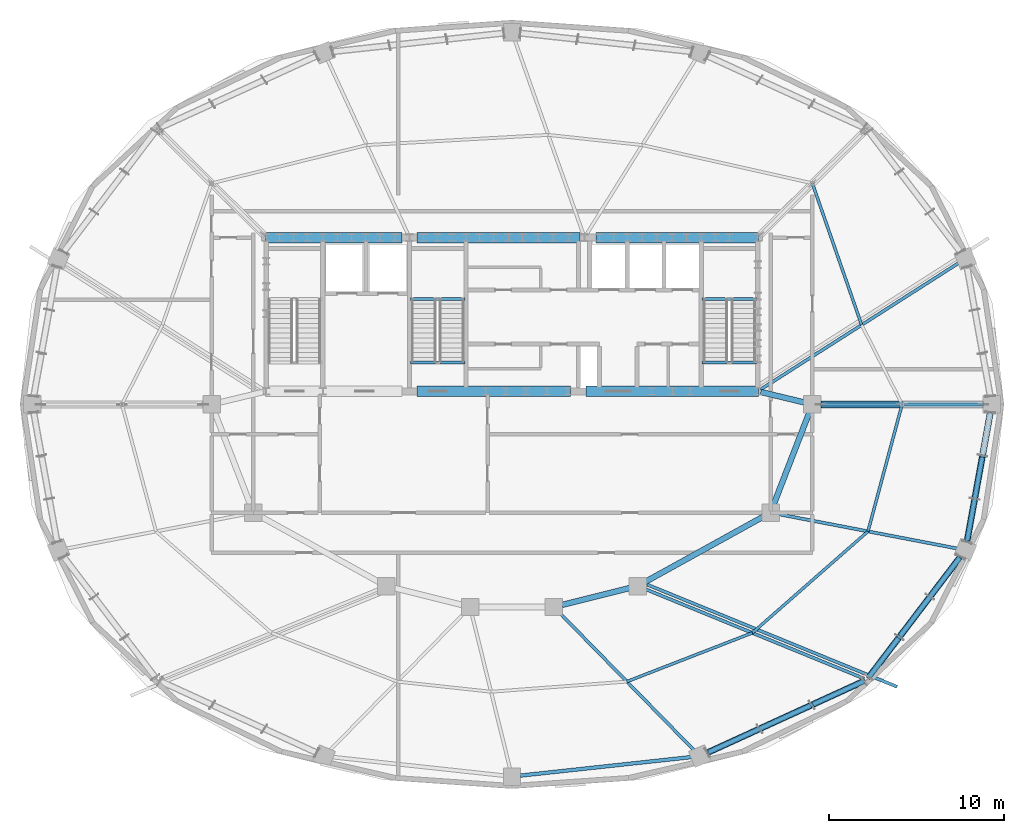
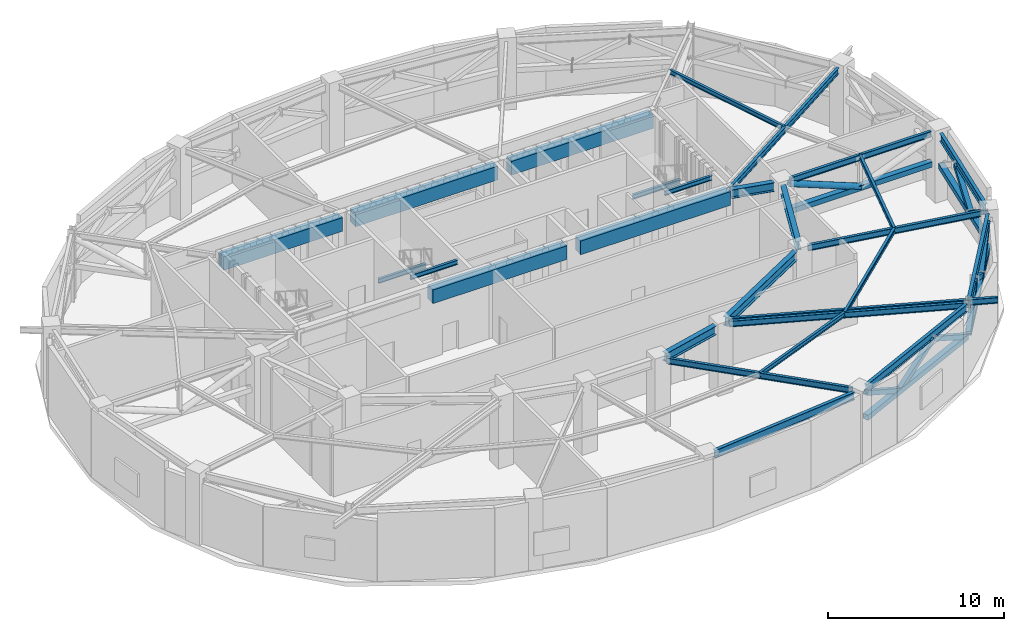
# One storey, part 4 of 20: 27 beams, 13 members.
"""IFC4 building model written with IfcOpenShell, lengths in metres."""

from ifc_helpers import new_model, si_unit, direction, frame, origin, origin_2d, place, context, subcontext, project, spatial, rectangle, hollow_rectangle, hollow_circle, i_section, extrude, material, material_profile, profile_set, type_object, element, save


model = new_model("IFC4")

# Units and contexts
model_context = context("Model", 3, precision=1e-05, world=origin(), true_north=direction((0.0, 1.0)))
body_context = subcontext(model_context, "Body", "Model", "MODEL_VIEW")
ifc_project = project(units=[si_unit("LENGTHUNIT", "METRE"), si_unit("AREAUNIT", "SQUARE_METRE"), si_unit("VOLUMEUNIT", "CUBIC_METRE"), si_unit("PLANEANGLEUNIT", "RADIAN"), si_unit("MASSUNIT", "GRAM", prefix="KILO")], contexts=[model_context])

# Site, building, storey
site_placement = place(None, origin())
site = spatial("IfcSite", under=ifc_project, at=site_placement, CompositionType="ELEMENT")
building_placement = place(site_placement, origin())
building = spatial("IfcBuilding", under=site, at=building_placement, Name="Haldorwick Loom Tower", CompositionType="ELEMENT")
storey_placement = place(building_placement, frame((0.0, 0.0, 222.10009765625)))
storey = spatial("IfcBuildingStorey", under=building, at=storey_placement, Name="L60", CompositionType="ELEMENT", Elevation=222.10009765625)

# Beams
ifc_material_1 = material(Name="Steel CSA G40.21 350W", Category="steel")
ifc_material_profile_1 = material_profile(ifc_material_1, i_section(OverallWidth=0.179931640625, OverallDepth=0.4130859375, WebThickness=0.009765625, FlangeThickness=0.01611328125, at=origin_2d()), Name="W410X74", Category="steel")
ifc_profile_set_1 = profile_set([ifc_material_profile_1], Name="Steel CSA G40.21 350W")
beam_type_1 = type_object("IfcBeamType", Name="STR-BM-BAL410", PredefinedType="BEAM", material=ifc_profile_set_1)
beam_1_placement = place(storey_placement, frame((43.74560546875, 15.679443359375, 4.553466796875), z_axis=(0.925580184245, -0.378551611451, 0.0), x_axis=(0.378551611451, 0.925580184245, 0.0)))
element("IfcBeam", 1, at=beam_1_placement, inside=storey, type_object=beam_type_1, Name="L60 Continuous Back-Spanned Balcony Beam 1", PredefinedType="BEAM", context=body_context, shape_type="SweptSolid", body=[
    extrude(i_section(OverallWidth=0.179931640625, OverallDepth=0.4130859375, WebThickness=0.009765625, FlangeThickness=0.01611328125, at=origin_2d()), origin(), (0.0, 0.0, 1.0), 15.447509765625),
])
ifc_material_2 = material(Name="Concrete C50 (50 MPa)", Category="concrete")
ifc_material_profile_2 = material_profile(ifc_material_2, rectangle(XDim=0.60009765625, YDim=0.949951171875, at=origin_2d()), Name="RC600X950", Category="concrete")
ifc_profile_set_2 = profile_set([ifc_material_profile_2], Name="Concrete C50 (50 MPa)")
beam_type_2 = type_object("IfcBeamType", Name="STR-BM-CB950", PredefinedType="LINTEL", material=ifc_profile_set_2)
beam_2_placement = place(storey_placement, frame((21.89990234375, 35.550048828125, 4.284912109375), z_axis=(1.0, 0.0, 0.0), x_axis=(0.0, 1.0, 0.0)))
element("IfcBeam", 2, at=beam_2_placement, inside=storey, type_object=beam_type_2, Name="L60 Core Coupling Beam CB-N1", PredefinedType="LINTEL", context=body_context, shape_type="SweptSolid", body=[
    extrude(rectangle(XDim=0.60009765625, YDim=0.949951171875, at=origin_2d()), origin(), (0.0, 0.0, 1.0), 7.800048828125),
])
beam_3_placement = place(storey_placement, frame((30.550048828125, 35.550048828125, 4.284912109375), z_axis=(1.0, 0.0, 0.0), x_axis=(0.0, 1.0, 0.0)))
element("IfcBeam", 3, at=beam_3_placement, inside=storey, type_object=beam_type_2, Name="L60 Core Coupling Beam CB-N2", PredefinedType="LINTEL", context=body_context, shape_type="SweptSolid", body=[
    extrude(rectangle(XDim=0.60009765625, YDim=0.949951171875, at=origin_2d()), origin(), (0.0, 0.0, 1.0), 9.349853515625),
])
beam_4_placement = place(storey_placement, frame((40.800048828125, 35.550048828125, 4.284912109375), z_axis=(1.0, 0.0, 0.0), x_axis=(0.0, 1.0, 0.0)))
element("IfcBeam", 4, at=beam_4_placement, inside=storey, type_object=beam_type_2, Name="L60 Core Coupling Beam CB-N3", PredefinedType="LINTEL", context=body_context, shape_type="SweptSolid", body=[
    extrude(rectangle(XDim=0.60009765625, YDim=0.949951171875, at=origin_2d()), origin(), (0.0, 0.0, 1.0), 9.300048828125),
])
beam_5_placement = place(storey_placement, frame((30.550048828125, 26.75, 4.284912109375), z_axis=(1.0, 0.0, 0.0), x_axis=(0.0, 1.0, 0.0)))
element("IfcBeam", 5, at=beam_5_placement, inside=storey, type_object=beam_type_2, Name="L60 Core Coupling Beam CB-S2", PredefinedType="LINTEL", context=body_context, shape_type="SweptSolid", body=[
    extrude(rectangle(XDim=0.60009765625, YDim=0.949951171875, at=origin_2d()), origin(), (0.0, 0.0, 1.0), 8.800048828125),
])
beam_6_placement = place(storey_placement, frame((40.25, 26.75, 4.284912109375), z_axis=(1.0, 0.0, 0.0), x_axis=(0.0, 1.0, 0.0)))
element("IfcBeam", 6, at=beam_6_placement, inside=storey, type_object=beam_type_2, Name="L60 Core Coupling Beam CB-S3", PredefinedType="LINTEL", context=body_context, shape_type="SweptSolid", body=[
    extrude(rectangle(XDim=0.60009765625, YDim=0.949951171875, at=origin_2d()), origin(), (0.0, 0.0, 1.0), 9.85009765625),
])
ifc_material_profile_3 = material_profile(ifc_material_1, i_section(OverallWidth=0.166015625, OverallDepth=0.31298828125, WebThickness=0.006591796875, FlangeThickness=0.01123046875, at=origin_2d()), Name="W310X45", Category="steel")
ifc_profile_set_3 = profile_set([ifc_material_profile_3], Name="Steel CSA G40.21 350W")
beam_type_3 = type_object("IfcBeamType", Name="STR-BM-J310", PredefinedType="JOIST", material=ifc_profile_set_3)
beam_7_placement = place(storey_placement, frame((56.015380859375, 30.54638671875, 4.603515625), z_axis=(-0.328550395803, 0.944486441098, 0.0), x_axis=(-0.944486441098, -0.328550395803, 0.0)))
element("IfcBeam", 7, at=beam_7_placement, inside=storey, type_object=beam_type_3, Name="L60 Mid-Bay Secondary Joist 2", PredefinedType="JOIST", context=body_context, shape_type="SweptSolid", body=[
    extrude(i_section(OverallWidth=0.166015625, OverallDepth=0.31298828125, WebThickness=0.006591796875, FlangeThickness=0.01123046875, at=origin_2d()), origin(), (0.0, 0.0, 1.0), 8.587890625),
])
beam_8_placement = place(storey_placement, frame((42.57666015625, 10.129638671875, 4.603515625), z_axis=(0.932232852675, 0.36185896202, 0.0), x_axis=(-0.36185896202, 0.932232852675, 0.0)))
element("IfcBeam", 8, at=beam_8_placement, inside=storey, type_object=beam_type_3, Name="L60 Mid-Bay Secondary Joist 14", PredefinedType="JOIST", context=body_context, shape_type="SweptSolid", body=[
    extrude(i_section(OverallWidth=0.166015625, OverallDepth=0.31298828125, WebThickness=0.006591796875, FlangeThickness=0.01123046875, at=origin_2d()), origin(), (0.0, 0.0, 1.0), 7.7041015625),
])
beam_9_placement = place(storey_placement, frame((49.7587890625, 12.91748046875, 4.603515625), z_axis=(0.751609427289, 0.659608420815, 0.0), x_axis=(-0.659608420815, 0.751609427289, 0.0)))
element("IfcBeam", 9, at=beam_9_placement, inside=storey, type_object=beam_type_3, Name="L60 Mid-Bay Secondary Joist 15", PredefinedType="JOIST", context=body_context, shape_type="SweptSolid", body=[
    extrude(i_section(OverallWidth=0.166015625, OverallDepth=0.31298828125, WebThickness=0.006591796875, FlangeThickness=0.01123046875, at=origin_2d()), origin(), (0.0, 0.0, 1.0), 8.810302734375),
])
beam_10_placement = place(storey_placement, frame((56.380615234375, 18.728759765625, 4.603515625), z_axis=(0.259353588718, 0.965782437208, 0.0), x_axis=(-0.965782437208, 0.259353588718, 0.0)))
element("IfcBeam", 10, at=beam_10_placement, inside=storey, type_object=beam_type_3, Name="L60 Mid-Bay Secondary Joist 16", PredefinedType="JOIST", context=body_context, shape_type="SweptSolid", body=[
    extrude(i_section(OverallWidth=0.166015625, OverallDepth=0.31298828125, WebThickness=0.006591796875, FlangeThickness=0.01123046875, at=origin_2d()), origin(), (0.0, 0.0, 1.0), 7.52880859375),
])
ifc_material_profile_4 = material_profile(ifc_material_1, i_section(OverallWidth=0.179931640625, OverallDepth=0.4130859375, WebThickness=0.009765625, FlangeThickness=0.01611328125, at=origin_2d()), Name="W410X74", Category="steel")
ifc_profile_set_4 = profile_set([ifc_material_profile_4], Name="Steel CSA G40.21 350W")
beam_type_4 = type_object("IfcBeamType", Name="STR-BM-J410", PredefinedType="JOIST", material=ifc_profile_set_4)
beam_11_placement = place(storey_placement, frame((53.675048828125, 26.0, 4.553466796875), z_axis=(1.0, 0.0, 0.0), x_axis=(0.0, 1.0, 0.0)))
element("IfcBeam", 11, at=beam_11_placement, inside=storey, type_object=beam_type_4, Name="L60 Radial Floor Girder 1", PredefinedType="JOIST", context=body_context, shape_type="SweptSolid", body=[
    extrude(i_section(OverallWidth=0.179931640625, OverallDepth=0.4130859375, WebThickness=0.009765625, FlangeThickness=0.01611328125, at=origin_2d()), origin(), (0.0, 0.0, 1.0), 9.31640625),
])
beam_12_placement = place(storey_placement, frame((50.219970703125, 26.845703125, 4.553466796875), z_axis=(0.842841662301, 0.538161622833, 0.0), x_axis=(-0.538161622833, 0.842841662301, 0.0)))
element("IfcBeam", 12, at=beam_12_placement, inside=storey, type_object=beam_type_4, Name="L60 Radial Floor Girder 2", PredefinedType="JOIST", context=body_context, shape_type="SweptSolid", body=[
    extrude(i_section(OverallWidth=0.179931640625, OverallDepth=0.4130859375, WebThickness=0.009765625, FlangeThickness=0.01611328125, at=origin_2d()), origin(), (0.0, 0.0, 1.0), 13.45556640625),
])
beam_13_placement = place(storey_placement, frame((38.732177734375, 14.060302734375, 4.553466796875), z_axis=(0.6992374297, -0.714889513775, 0.0), x_axis=(0.714889513775, 0.6992374297, 0.0)))
element("IfcBeam", 13, at=beam_13_placement, inside=storey, type_object=beam_type_4, Name="L60 Radial Floor Girder 14", PredefinedType="JOIST", context=body_context, shape_type="SweptSolid", body=[
    extrude(i_section(OverallWidth=0.179931640625, OverallDepth=0.4130859375, WebThickness=0.009765625, FlangeThickness=0.01611328125, at=origin_2d()), origin(), (0.0, 0.0, 1.0), 10.99658203125),
])
beam_14_placement = place(storey_placement, frame((43.6396484375, 15.420166015625, 4.553466796875), z_axis=(0.925582046891, -0.378547057145, 0.0), x_axis=(0.378547057145, 0.925582046891, 0.0)))
element("IfcBeam", 14, at=beam_14_placement, inside=storey, type_object=beam_type_4, Name="L60 Radial Floor Girder 15", PredefinedType="JOIST", context=body_context, shape_type="SweptSolid", body=[
    extrude(i_section(OverallWidth=0.179931640625, OverallDepth=0.4130859375, WebThickness=0.009765625, FlangeThickness=0.01611328125, at=origin_2d()), origin(), (0.0, 0.0, 1.0), 13.519287109375),
])
beam_15_placement = place(storey_placement, frame((51.2666015625, 19.71044921875, 4.553466796875), z_axis=(0.982068761346, -0.188523070173, 0.0), x_axis=(0.188523070173, 0.982068761346, 0.0)))
element("IfcBeam", 15, at=beam_15_placement, inside=storey, type_object=beam_type_4, Name="L60 Radial Floor Girder 16", PredefinedType="JOIST", context=body_context, shape_type="SweptSolid", body=[
    extrude(i_section(OverallWidth=0.179931640625, OverallDepth=0.4130859375, WebThickness=0.009765625, FlangeThickness=0.01611328125, at=origin_2d()), origin(), (0.0, 0.0, 1.0), 10.41455078125),
])
ifc_material_profile_5 = material_profile(ifc_material_1, i_section(OverallWidth=0.2119140625, OverallDepth=0.5439453125, WebThickness=0.01318359375, FlangeThickness=0.021240234375, at=origin_2d()), Name="W530X123", Category="steel")
ifc_profile_set_5 = profile_set([ifc_material_profile_5], Name="Steel CSA G40.21 350W")
beam_type_5 = type_object("IfcBeamType", Name="STR-BM-SP530", PredefinedType="SPANDREL", material=ifc_profile_set_5)
beam_16_placement = place(storey_placement, frame((36.47216796875, 4.74609375, 4.48779296875), z_axis=(0.994187378218, 0.107663628917, 0.0), x_axis=(-0.107663628917, 0.994187378218, 0.0)))
element("IfcBeam", 16, at=beam_16_placement, inside=storey, type_object=beam_type_5, Name="L60 Perimeter Spandrel 13", PredefinedType="SPANDREL", context=body_context, shape_type="SweptSolid", body=[
    extrude(i_section(OverallWidth=0.2119140625, OverallDepth=0.5439453125, WebThickness=0.01318359375, FlangeThickness=0.021240234375, at=origin_2d()), origin(), (0.0, 0.0, 1.0), 9.866455078125),
])
beam_17_placement = place(storey_placement, frame((47.185302734375, 6.056884765625, 4.48779296875), z_axis=(0.909350907904, 0.41602995841, 0.0), x_axis=(-0.41602995841, 0.909350907904, 0.0)))
element("IfcBeam", 17, at=beam_17_placement, inside=storey, type_object=beam_type_5, Name="L60 Perimeter Spandrel 14", PredefinedType="SPANDREL", context=body_context, shape_type="SweptSolid", body=[
    extrude(i_section(OverallWidth=0.2119140625, OverallDepth=0.5439453125, WebThickness=0.01318359375, FlangeThickness=0.021240234375, at=origin_2d()), origin(), (0.0, 0.0, 1.0), 9.86474609375),
])
beam_18_placement = place(storey_placement, frame((56.42529296875, 10.376708984375, 4.48779296875), z_axis=(0.605253156055, 0.796033050247, 0.0), x_axis=(-0.796033050247, 0.605253156055, 0.0)))
element("IfcBeam", 18, at=beam_18_placement, inside=storey, type_object=beam_type_5, Name="L60 Perimeter Spandrel 15", PredefinedType="SPANDREL", context=body_context, shape_type="SweptSolid", body=[
    extrude(i_section(OverallWidth=0.2119140625, OverallDepth=0.5439453125, WebThickness=0.01318359375, FlangeThickness=0.021240234375, at=origin_2d()), origin(), (0.0, 0.0, 1.0), 8.671142578125),
])
beam_19_placement = place(storey_placement, frame((62.04541015625, 18.125, 4.48779296875), z_axis=(0.177580880494, 0.984106209148, 0.0), x_axis=(-0.984106209148, 0.177580880494, 0.0)))
element("IfcBeam", 19, at=beam_19_placement, inside=storey, type_object=beam_type_5, Name="L60 Perimeter Spandrel 16", PredefinedType="SPANDREL", context=body_context, shape_type="SweptSolid", body=[
    extrude(i_section(OverallWidth=0.2119140625, OverallDepth=0.5439453125, WebThickness=0.01318359375, FlangeThickness=0.021240234375, at=origin_2d()), origin(), (0.0, 0.0, 1.0), 7.527099609375),
])
ifc_material_profile_6 = material_profile(ifc_material_1, i_section(OverallWidth=0.166015625, OverallDepth=0.31298828125, WebThickness=0.006591796875, FlangeThickness=0.01123046875, at=origin_2d()), Name="W310X45", Category="steel")
ifc_profile_set_6 = profile_set([ifc_material_profile_6], Name="Steel CSA G40.21 350W")
beam_type_6 = type_object("IfcBeamType", Name="STR-BM-STRM", PredefinedType="BEAM", material=ifc_profile_set_6)
for number, where, z_axis, x_axis, name in (
    (20, (46.889892578125, 28.39990234375, 4.603515625), (1.0, 0.0, 0.0), (0.0, 1.0, 0.0), "L60 Stair ST-02 Landing Edge Trimmer"),
    (21, (46.889892578125, 32.0400390625, 2.143310546875), (1.0, 0.0, 0.0), (0.0, 1.0, 0.0), "L60 Stair ST-02 Half-Landing Trimmer 1"),
    (22, (30.18994140625, 28.39990234375, 4.603515625), (1.0, 0.0, 0.0), (0.0, 1.0, 0.0), "L60 Stair ST-03 Landing Edge Trimmer"),
    (23, (30.18994140625, 32.0400390625, 2.143310546875), (1.0, 0.0, 0.0), (0.0, 1.0, 0.0), "L60 Stair ST-03 Half-Landing Trimmer 1"),
):
    element("IfcBeam", number, at=place(storey_placement, frame(where, z_axis=z_axis, x_axis=x_axis)), inside=storey, type_object=beam_type_6, Name=name, PredefinedType="BEAM", context=body_context, shape_type="SweptSolid", body=[
        extrude(i_section(OverallWidth=0.166015625, OverallDepth=0.31298828125, WebThickness=0.006591796875, FlangeThickness=0.01123046875, at=origin_2d()), origin(), (0.0, 0.0, 1.0), 3.1201171875),
    ])
ifc_material_profile_7 = material_profile(ifc_material_1, i_section(OverallWidth=0.324951171875, OverallDepth=0.615966796875, WebThickness=0.013916015625, FlangeThickness=0.021484375, at=origin_2d()), Name="W610X174", Category="steel")
ifc_profile_set_7 = profile_set([ifc_material_profile_7], Name="Steel CSA G40.21 350W")
beam_type_7 = type_object("IfcBeamType", Name="STR-BM-W610A", PredefinedType="BEAM", material=ifc_profile_set_7)
beam_20_placement = place(storey_placement, frame((50.2431640625, 26.70849609375, 4.451904296875), z_axis=(0.972464127734, -0.233052612665, 0.0), x_axis=(0.233052612665, 0.972464127734, 0.0)))
element("IfcBeam", 24, at=beam_20_placement, inside=storey, type_object=beam_type_7, Name="L60 Inner Ring Girder 1", PredefinedType="BEAM", context=body_context, shape_type="SweptSolid", body=[
    extrude(i_section(OverallWidth=0.324951171875, OverallDepth=0.615966796875, WebThickness=0.013916015625, FlangeThickness=0.021484375, at=origin_2d()), origin(), (0.0, 0.0, 1.0), 2.5654296875),
])
beam_21_placement = place(storey_placement, frame((53.028564453125, 25.556884765625, 4.451904296875), z_axis=(-0.36101093026, -0.93256158415, 0.0), x_axis=(0.93256158415, -0.36101093026, 0.0)))
element("IfcBeam", 25, at=beam_21_placement, inside=storey, type_object=beam_type_7, Name="L60 Inner Ring Girder 2", PredefinedType="BEAM", context=body_context, shape_type="SweptSolid", body=[
    extrude(i_section(OverallWidth=0.324951171875, OverallDepth=0.615966796875, WebThickness=0.013916015625, FlangeThickness=0.021484375, at=origin_2d()), origin(), (0.0, 0.0, 1.0), 5.6982421875),
])
beam_22_placement = place(storey_placement, frame((50.38427734375, 19.5703125, 4.451904296875), z_axis=(-0.875243645673, -0.483682293152, 0.0), x_axis=(0.483682293152, -0.875243645673, 0.0)))
element("IfcBeam", 26, at=beam_22_placement, inside=storey, type_object=beam_type_7, Name="L60 Inner Ring Girder 3", PredefinedType="BEAM", context=body_context, shape_type="SweptSolid", body=[
    extrude(i_section(OverallWidth=0.324951171875, OverallDepth=0.615966796875, WebThickness=0.013916015625, FlangeThickness=0.021484375, at=origin_2d()), origin(), (0.0, 0.0, 1.0), 7.7333984375),
])
beam_23_placement = place(storey_placement, frame((42.7392578125, 15.48486328125, 4.451904296875), z_axis=(-0.970135315182, -0.242564363081, 0.0), x_axis=(0.242564363081, -0.970135315182, 0.0)))
element("IfcBeam", 27, at=beam_23_placement, inside=storey, type_object=beam_type_7, Name="L60 Inner Ring Girder 4", PredefinedType="BEAM", context=body_context, shape_type="SweptSolid", body=[
    extrude(i_section(OverallWidth=0.324951171875, OverallDepth=0.615966796875, WebThickness=0.013916015625, FlangeThickness=0.021484375, at=origin_2d()), origin(), (0.0, 0.0, 1.0), 3.997802734375),
])

# Members
ifc_material_profile_8 = material_profile(ifc_material_1, hollow_rectangle(XDim=0.3046875, YDim=0.3046875, WallThickness=0.0126953125, at=origin_2d()), Name="HSS305X305X13", Category="steel")
ifc_profile_set_8 = profile_set([ifc_material_profile_8], Name="Steel CSA G40.21 350W")
member_type_1 = type_object("IfcMemberType", Name="STR-MEM-BR305", PredefinedType="BRACE", material=ifc_profile_set_8)
member_1_placement = place(storey_placement, frame((47.185302734375, 6.056884765625, 4.2158203125), z_axis=(0.806188926481, 0.368866977792, -0.462597630251), x_axis=(-0.416061524611, 0.909336465638, 0.0)))
element("IfcMember", 28, at=member_1_placement, inside=storey, type_object=member_type_1, Name="L60 Perimeter Belt Truss Web Diagonal 14-1", PredefinedType="BRACE", context=body_context, shape_type="SweptSolid", body=[
    extrude(hollow_rectangle(XDim=0.3046875, YDim=0.3046875, WallThickness=0.0126953125, at=origin_2d()), origin(), (0.0, 0.0, 1.0), 3.708984375),
])
member_2_placement = place(storey_placement, frame((50.175537109375, 7.425048828125, 2.5), z_axis=(0.80618545743, 0.368829682206, 0.462633411841), x_axis=(-0.416028218842, 0.909351703758, 0.0)))
element("IfcMember", 29, at=member_2_placement, inside=storey, type_object=member_type_1, Name="L60 Perimeter Belt Truss Web Diagonal 14-2", PredefinedType="BRACE", context=body_context, shape_type="SweptSolid", body=[
    extrude(hollow_rectangle(XDim=0.3046875, YDim=0.3046875, WallThickness=0.0126953125, at=origin_2d()), origin(), (0.0, 0.0, 1.0), 3.708740234375),
])
member_3_placement = place(storey_placement, frame((53.16552734375, 8.79296875, 4.2158203125), z_axis=(0.806208499388, 0.368810109575, -0.46260886134), x_axis=(-0.41600013021, 0.909364553777, 0.0)))
element("IfcMember", 30, at=member_3_placement, inside=storey, type_object=member_type_1, Name="L60 Perimeter Belt Truss Web Diagonal 14-3", PredefinedType="BRACE", context=body_context, shape_type="SweptSolid", body=[
    extrude(hollow_rectangle(XDim=0.3046875, YDim=0.3046875, WallThickness=0.0126953125, at=origin_2d()), origin(), (0.0, 0.0, 1.0), 3.708984375),
])
member_4_placement = place(storey_placement, frame((56.42529296875, 10.376708984375, 2.5), z_axis=(0.520458746715, 0.684527447362, 0.510435957566), x_axis=(-0.796040112814, 0.605243867207, 0.0)))
element("IfcMember", 31, at=member_4_placement, inside=storey, type_object=member_type_1, Name="L60 Perimeter Belt Truss Web Diagonal 15-1", PredefinedType="BRACE", context=body_context, shape_type="SweptSolid", body=[
    extrude(hollow_rectangle(XDim=0.3046875, YDim=0.3046875, WallThickness=0.0126953125, at=origin_2d()), origin(), (0.0, 0.0, 1.0), 3.361572265625),
])
member_5_placement = place(storey_placement, frame((58.1748046875, 12.677734375, 4.2158203125), z_axis=(0.520431663586, 0.684514724024, -0.510480632475), x_axis=(-0.796049867215, 0.605231037627, 0.0)))
element("IfcMember", 32, at=member_5_placement, inside=storey, type_object=member_type_1, Name="L60 Perimeter Belt Truss Web Diagonal 15-2", PredefinedType="BRACE", context=body_context, shape_type="SweptSolid", body=[
    extrude(hollow_rectangle(XDim=0.3046875, YDim=0.3046875, WallThickness=0.0126953125, at=origin_2d()), origin(), (0.0, 0.0, 1.0), 3.361083984375),
])
member_6_placement = place(storey_placement, frame((59.924072265625, 14.978515625, 2.5), z_axis=(0.520484622649, 0.684488847872, 0.510461335191), x_axis=(-0.796009170115, 0.60528456208, 0.0)))
element("IfcMember", 33, at=member_6_placement, inside=storey, type_object=member_type_1, Name="L60 Perimeter Belt Truss Web Diagonal 15-3", PredefinedType="BRACE", context=body_context, shape_type="SweptSolid", body=[
    extrude(hollow_rectangle(XDim=0.3046875, YDim=0.3046875, WallThickness=0.0126953125, at=origin_2d()), origin(), (0.0, 0.0, 1.0), 3.361328125),
])
member_7_placement = place(storey_placement, frame((62.04541015625, 18.125, 4.2158203125), z_axis=(0.146579770823, 0.812333042249, -0.564472673613), x_axis=(-0.984107231931, 0.177575212406, 0.0)))
element("IfcMember", 34, at=member_7_placement, inside=storey, type_object=member_type_1, Name="L60 Perimeter Belt Truss Web Diagonal 16-1", PredefinedType="BRACE", context=body_context, shape_type="SweptSolid", body=[
    extrude(hollow_rectangle(XDim=0.3046875, YDim=0.3046875, WallThickness=0.0126953125, at=origin_2d()), origin(), (0.0, 0.0, 1.0), 3.039794921875),
])
member_8_placement = place(storey_placement, frame((62.490966796875, 20.59423828125, 2.5), z_axis=(0.14658933484, 0.812305722324, 0.564509504251), x_axis=(-0.984104163287, 0.177592217739, 0.0)))
element("IfcMember", 35, at=member_8_placement, inside=storey, type_object=member_type_1, Name="L60 Perimeter Belt Truss Web Diagonal 16-2", PredefinedType="BRACE", context=body_context, shape_type="SweptSolid", body=[
    extrude(hollow_rectangle(XDim=0.3046875, YDim=0.3046875, WallThickness=0.0126953125, at=origin_2d()), origin(), (0.0, 0.0, 1.0), 3.03955078125),
])
ifc_material_profile_9 = material_profile(ifc_material_1, hollow_circle(Radius=0.203125, WallThickness=0.0126953125, at=origin_2d()), Name="HSS406X13", Category="steel")
ifc_profile_set_9 = profile_set([ifc_material_profile_9], Name="Steel CSA G40.21 350W")
member_type_2 = type_object("IfcMemberType", Name="STR-MEM-BR406C", PredefinedType="BRACE", material=ifc_profile_set_9)
member_9_placement = place(storey_placement, frame((53.675048828125, 26.0, 4.346923828125), z_axis=(0.929598051157, 0.0, -0.368574908648), x_axis=(0.0, 1.0, 0.0)))
element("IfcMember", 36, at=member_9_placement, inside=storey, type_object=member_type_2, Name="L60 Outrigger OT-E Inner Diagonal", PredefinedType="BRACE", context=body_context, shape_type="SweptSolid", body=[
    extrude(hollow_circle(Radius=0.203125, WallThickness=0.0126953125, at=origin_2d()), origin(), (0.0, 0.0, 1.0), 5.010986328125),
])
ifc_material_profile_10 = material_profile(ifc_material_1, hollow_rectangle(XDim=0.355712890625, YDim=0.355712890625, WallThickness=0.015869140625, at=origin_2d()), Name="HSS356X356X16", Category="steel")
ifc_profile_set_10 = profile_set([ifc_material_profile_10], Name="Steel CSA G40.21 350W")
member_type_3 = type_object("IfcMemberType", Name="STR-MEM-CH356", PredefinedType="CHORD", material=ifc_profile_set_10)
member_10_placement = place(storey_placement, frame((47.185302734375, 6.056884765625, 2.5), z_axis=(0.909350907904, 0.41602995841, 0.0), x_axis=(-0.41602995841, 0.909350907904, 0.0)))
element("IfcMember", 37, at=member_10_placement, inside=storey, type_object=member_type_3, Name="L60 Perimeter Belt Truss Bottom Chord 14", PredefinedType="CHORD", context=body_context, shape_type="SweptSolid", body=[
    extrude(hollow_rectangle(XDim=0.355712890625, YDim=0.355712890625, WallThickness=0.015869140625, at=origin_2d()), origin(), (0.0, 0.0, 1.0), 9.86474609375),
])
member_11_placement = place(storey_placement, frame((56.42529296875, 10.376708984375, 2.5), z_axis=(0.605253156055, 0.796033050247, 0.0), x_axis=(-0.796033050247, 0.605253156055, 0.0)))
element("IfcMember", 38, at=member_11_placement, inside=storey, type_object=member_type_3, Name="L60 Perimeter Belt Truss Bottom Chord 15", PredefinedType="CHORD", context=body_context, shape_type="SweptSolid", body=[
    extrude(hollow_rectangle(XDim=0.355712890625, YDim=0.355712890625, WallThickness=0.015869140625, at=origin_2d()), origin(), (0.0, 0.0, 1.0), 8.671142578125),
])
member_12_placement = place(storey_placement, frame((62.04541015625, 18.125, 2.5), z_axis=(0.177580880494, 0.984106209148, 0.0), x_axis=(-0.984106209148, 0.177580880494, 0.0)))
element("IfcMember", 39, at=member_12_placement, inside=storey, type_object=member_type_3, Name="L60 Perimeter Belt Truss Bottom Chord 16", PredefinedType="CHORD", context=body_context, shape_type="SweptSolid", body=[
    extrude(hollow_rectangle(XDim=0.355712890625, YDim=0.355712890625, WallThickness=0.015869140625, at=origin_2d()), origin(), (0.0, 0.0, 1.0), 7.527099609375),
])
member_13_placement = place(storey_placement, frame((53.675048828125, 26.0, 2.5), z_axis=(1.0, 0.0, 0.0), x_axis=(0.0, 1.0, 0.0)))
element("IfcMember", 40, at=member_13_placement, inside=storey, type_object=member_type_3, Name="L60 Outrigger OT-E Bottom Chord", PredefinedType="CHORD", context=body_context, shape_type="SweptSolid", body=[
    extrude(hollow_rectangle(XDim=0.355712890625, YDim=0.355712890625, WallThickness=0.015869140625, at=origin_2d()), origin(), (0.0, 0.0, 1.0), 9.31640625),
])

save(model, "model.ifc")
